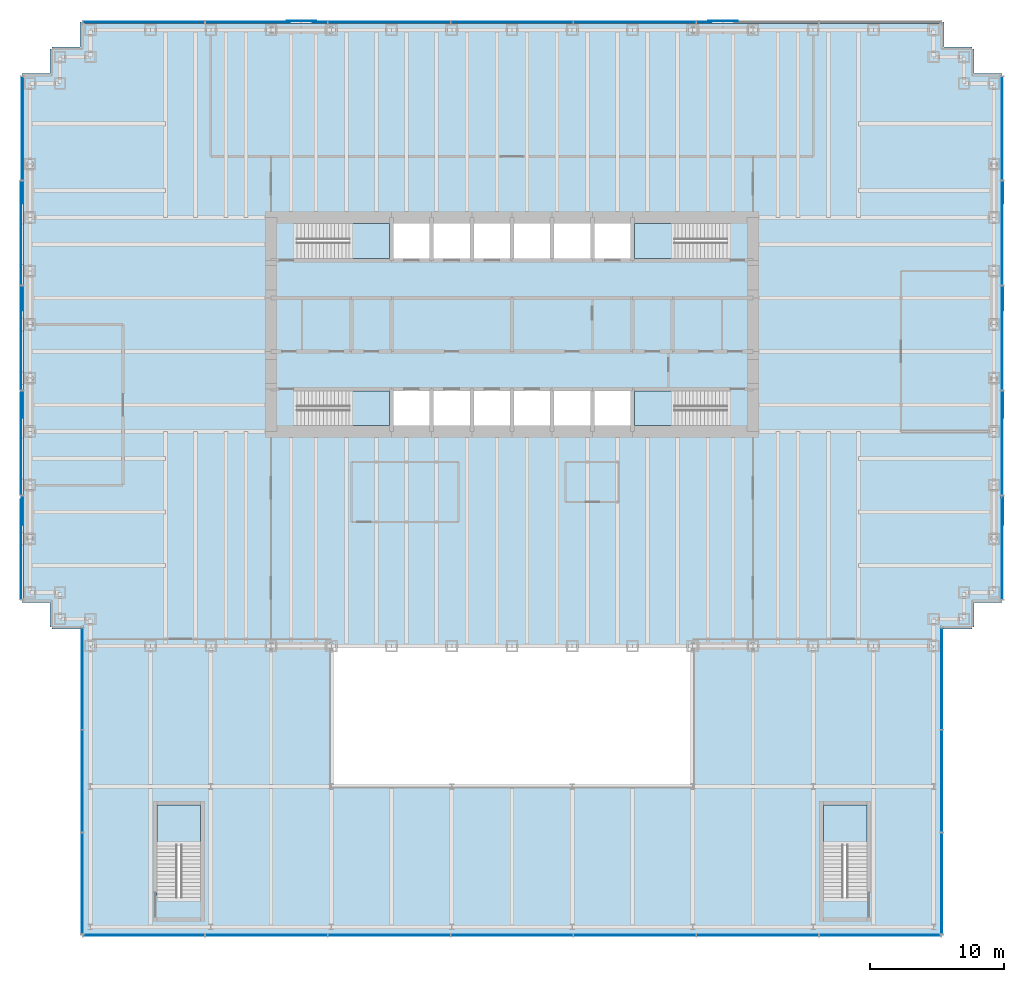
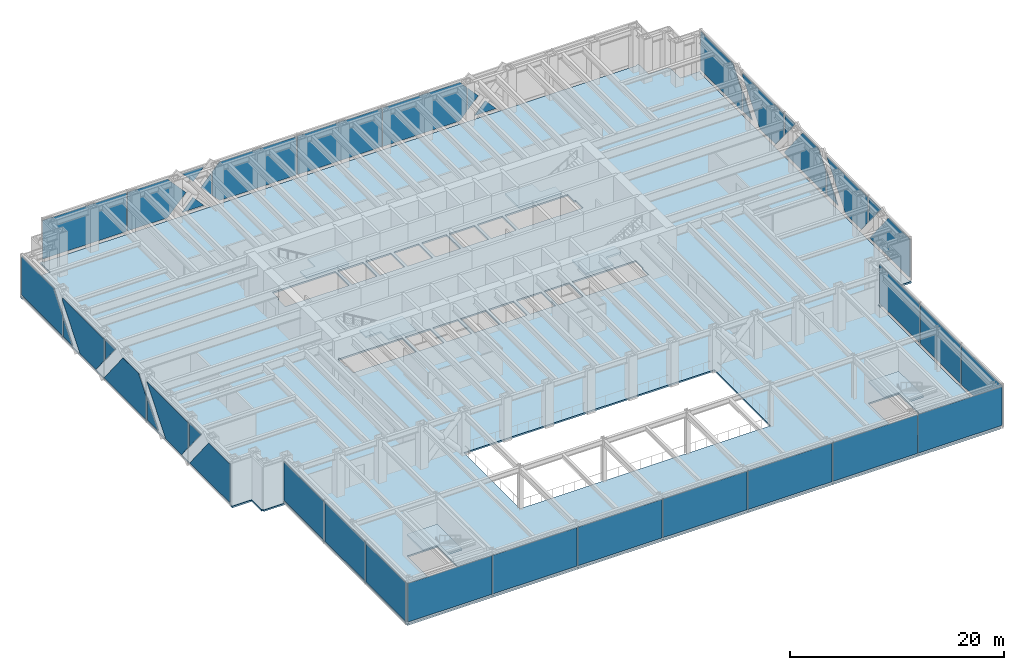
# One storey, part 11 of 17: 41 plates, 7 slabs, 12 elements without a shape of their own.
"""IFC4 building model written with IfcOpenShell, lengths in metres."""

from ifc_helpers import new_model, si_unit, direction, frame, origin, origin_2d, place, context, subcontext, project, spatial, polyline, rectangle, outline, extrude, material, layer, layer_set, type_object, element, aggregate, save


model = new_model("IFC4")

# Units and contexts
model_context = context("Model", 3, precision=1e-05, world=origin(), true_north=direction((0.0, 1.0)))
body_context = subcontext(model_context, "Body", "Model", "MODEL_VIEW")
ifc_project = project(units=[si_unit("LENGTHUNIT", "METRE"), si_unit("AREAUNIT", "SQUARE_METRE"), si_unit("VOLUMEUNIT", "CUBIC_METRE"), si_unit("PLANEANGLEUNIT", "RADIAN"), si_unit("MASSUNIT", "GRAM", prefix="KILO")], contexts=[model_context])

# Site, building, storey
site_placement = place(None, origin())
site = spatial("IfcSite", under=ifc_project, at=site_placement, CompositionType="ELEMENT")
building_placement = place(site_placement, origin())
building = spatial("IfcBuilding", under=site, at=building_placement, Name="Rheinbord Bourse Tower", CompositionType="ELEMENT")
storey_placement = place(building_placement, frame((0.0, 0.0, 13.0)))
storey = spatial("IfcBuildingStorey", under=building, at=storey_placement, Name="L02", CompositionType="ELEMENT", Elevation=13.0)

# Slab
ifc_material_1 = material(Name="Concrete C30/37", Category="concrete")
ifc_layer_1 = layer(ifc_material_1, 0.179931640625)
ifc_layer_set_1 = layer_set([ifc_layer_1], Name="COMPOSITE FLOOR SLAB 180")
slab_type_1 = type_object("IfcSlabType", Name="COMPOSITE FLOOR SLAB 180", PredefinedType="FLOOR", material=ifc_layer_set_1)
slab_1_placement = place(storey_placement, frame((0.0, 0.0, -0.179931640625)))
element("IfcSlab", 1, at=slab_1_placement, inside=storey, type_object=slab_type_1, Name="Floor slab L02", PredefinedType="FLOOR", context=body_context, shape_type="SweptSolid", body=[
    extrude(outline(polyline([(1.64990234375, 1.39990234375), (1.5, 1.39990234375), (1.5, 3.25), (-0.60009765625, 3.25), (-0.60009765625, 3.550048828125), (-0.5, 3.550048828125), (-0.5, 42.449951171875), (-0.60009765625, 42.449951171875), (-0.60009765625, 42.75), (1.5, 42.75), (1.5, 44.60009765625), (1.64990234375, 44.60009765625), (1.64990234375, 44.75), (3.75, 44.75), (3.75, 46.60009765625), (4.050048828125, 46.60009765625), (4.050048828125, 46.5), (67.949951171875, 46.5), (67.949951171875, 46.60009765625), (68.25, 46.60009765625), (68.25, 44.75), (70.35009765625, 44.75), (70.35009765625, 44.60009765625), (70.5, 44.60009765625), (70.5, 42.75), (72.60009765625, 42.75), (72.60009765625, 42.449951171875), (72.5, 42.449951171875), (72.5, 3.550048828125), (72.60009765625, 3.550048828125), (72.60009765625, 3.25), (70.5, 3.25), (70.5, 1.39990234375), (70.35009765625, 1.39990234375), (70.35009765625, 1.25), (68.10009765625, 1.25), (68.10009765625, 1.5), (68.0, 1.5), (68.0, -21.5), (4.0, -21.5), (4.0, 1.5), (3.89990234375, 1.5), (3.89990234375, 1.25), (1.64990234375, 1.25), (1.64990234375, 1.39990234375)]), holes=[polyline([(19.949951171875, 19.050048828125), (26.85009765625, 19.050048828125), (26.85009765625, 16.449951171875), (20.10009765625, 16.449951171875), (20.10009765625, 17.64990234375), (19.949951171875, 17.64990234375), (19.949951171875, 19.050048828125)]), polyline([(26.85009765625, 31.550048828125), (26.85009765625, 28.949951171875), (19.949951171875, 28.949951171875), (19.949951171875, 30.35009765625), (20.10009765625, 30.35009765625), (20.10009765625, 31.550048828125), (26.85009765625, 31.550048828125)]), polyline([(45.14990234375, 16.449951171875), (45.14990234375, 19.050048828125), (52.050048828125, 19.050048828125), (52.050048828125, 17.64990234375), (51.89990234375, 17.64990234375), (51.89990234375, 16.449951171875), (45.14990234375, 16.449951171875)]), polyline([(52.050048828125, 28.949951171875), (45.14990234375, 28.949951171875), (45.14990234375, 31.550048828125), (51.89990234375, 31.550048828125), (51.89990234375, 30.35009765625), (52.050048828125, 30.35009765625), (52.050048828125, 28.949951171875)]), polyline([(9.5, -11.89990234375), (12.75, -11.89990234375), (12.75, -18.800048828125), (11.0, -18.800048828125), (11.0, -18.64990234375), (9.5, -18.64990234375), (9.5, -11.89990234375)]), polyline([(59.25, -11.89990234375), (62.5, -11.89990234375), (62.5, -18.800048828125), (60.75, -18.800048828125), (60.75, -18.64990234375), (59.25, -18.64990234375), (59.25, -11.89990234375)]), polyline([(22.5, -10.5), (22.5, 0.0), (49.5, 0.0), (49.5, -10.5), (22.5, -10.5)]), polyline([(27.14990234375, 16.449951171875), (27.14990234375, 19.050048828125), (29.85009765625, 19.050048828125), (29.85009765625, 16.449951171875), (27.14990234375, 16.449951171875)]), polyline([(27.14990234375, 28.949951171875), (27.14990234375, 31.550048828125), (29.85009765625, 31.550048828125), (29.85009765625, 28.949951171875), (27.14990234375, 28.949951171875)]), polyline([(30.14990234375, 16.449951171875), (30.14990234375, 19.050048828125), (32.85009765625, 19.050048828125), (32.85009765625, 16.449951171875), (30.14990234375, 16.449951171875)]), polyline([(30.14990234375, 28.949951171875), (30.14990234375, 31.550048828125), (32.85009765625, 31.550048828125), (32.85009765625, 28.949951171875), (30.14990234375, 28.949951171875)]), polyline([(33.14990234375, 16.449951171875), (33.14990234375, 19.050048828125), (35.85009765625, 19.050048828125), (35.85009765625, 16.449951171875), (33.14990234375, 16.449951171875)]), polyline([(33.14990234375, 28.949951171875), (33.14990234375, 31.550048828125), (35.85009765625, 31.550048828125), (35.85009765625, 28.949951171875), (33.14990234375, 28.949951171875)]), polyline([(36.14990234375, 16.449951171875), (36.14990234375, 19.050048828125), (38.85009765625, 19.050048828125), (38.85009765625, 16.449951171875), (36.14990234375, 16.449951171875)]), polyline([(36.14990234375, 28.949951171875), (36.14990234375, 31.550048828125), (38.85009765625, 31.550048828125), (38.85009765625, 28.949951171875), (36.14990234375, 28.949951171875)]), polyline([(39.14990234375, 16.449951171875), (39.14990234375, 19.050048828125), (41.85009765625, 19.050048828125), (41.85009765625, 16.449951171875), (39.14990234375, 16.449951171875)]), polyline([(39.14990234375, 28.949951171875), (39.14990234375, 31.550048828125), (41.85009765625, 31.550048828125), (41.85009765625, 28.949951171875), (39.14990234375, 28.949951171875)]), polyline([(42.14990234375, 16.449951171875), (42.14990234375, 19.050048828125), (44.85009765625, 19.050048828125), (44.85009765625, 16.449951171875), (42.14990234375, 16.449951171875)]), polyline([(42.14990234375, 28.949951171875), (42.14990234375, 31.550048828125), (44.85009765625, 31.550048828125), (44.85009765625, 28.949951171875), (42.14990234375, 28.949951171875)])]), origin(), (0.0, 0.0, 1.0), 0.179931640625),
])

# Curtain wall, plates
ifc_material_2 = material(Name="Dark glass and black aluminium", Category="aluminium")
curtain_wall_type = type_object("IfcCurtainWallType", Name="CW4 DARK GLASS CURTAIN WALL", PredefinedType="USERDEFINED", material=ifc_material_2)
curtain_wall_1_placement = place(storey_placement, origin())
curtain_wall_1 = element("IfcCurtainWall", 2, at=curtain_wall_1_placement, inside=storey, type_object=curtain_wall_type, Name="Curtain wall CW4 S L02", ObjectType="UNITISED CURTAIN WALL", PredefinedType="USERDEFINED")
ifc_material_3 = material(Name="Dark tinted triple insulating glass", Category="glass")
ifc_layer_2 = layer(ifc_material_3, 0.068115234375)
ifc_layer_set_2 = layer_set([ifc_layer_2], Name="CW4 DARK GLASS PANEL")
plate_type = type_object("IfcPlateType", Name="CW4 DARK GLASS PANEL", PredefinedType="CURTAIN_PANEL", material=ifc_layer_set_2)
plate_1_placement = place(storey_placement, frame((8.50830078125, -21.60009765625, 0.300048828125), z_axis=(0.0, 0.0, 1.0), x_axis=(1.0, 0.0, 0.0)))
plate_1 = element("IfcPlate", 3, at=plate_1_placement, type_object=plate_type, Name="CW4 panel 1.1", PredefinedType="CURTAIN_PANEL", context=body_context, shape_type="SweptSolid", body=[
    extrude(rectangle(XDim=9.036376953125, YDim=0.068115234375, at=origin_2d()), origin(), (0.0, 0.0, 1.0), 4.39990234375),
])
plate_2_placement = place(storey_placement, frame((17.6572265625, -21.60009765625, 0.300048828125), z_axis=(0.0, 0.0, 1.0), x_axis=(1.0, 0.0, 0.0)))
plate_2 = element("IfcPlate", 4, at=plate_2_placement, type_object=plate_type, Name="CW4 panel 2.1", PredefinedType="CURTAIN_PANEL", context=body_context, shape_type="SweptSolid", body=[
    extrude(rectangle(XDim=9.08154296875, YDim=0.068115234375, at=origin_2d()), origin(), (0.0, 0.0, 1.0), 4.39990234375),
])
plate_3_placement = place(storey_placement, frame((26.82861328125, -21.60009765625, 0.300048828125), z_axis=(0.0, 0.0, 1.0), x_axis=(1.0, 0.0, 0.0)))
plate_3 = element("IfcPlate", 5, at=plate_3_placement, type_object=plate_type, Name="CW4 panel 3.1", PredefinedType="CURTAIN_PANEL", context=body_context, shape_type="SweptSolid", body=[
    extrude(rectangle(XDim=9.08154296875, YDim=0.068115234375, at=origin_2d()), origin(), (0.0, 0.0, 1.0), 4.39990234375),
])
plate_4_placement = place(storey_placement, frame((36.0, -21.60009765625, 0.300048828125), z_axis=(0.0, 0.0, 1.0), x_axis=(1.0, 0.0, 0.0)))
plate_4 = element("IfcPlate", 6, at=plate_4_placement, type_object=plate_type, Name="CW4 panel 4.1", PredefinedType="CURTAIN_PANEL", context=body_context, shape_type="SweptSolid", body=[
    extrude(rectangle(XDim=9.08154296875, YDim=0.068115234375, at=origin_2d()), origin(), (0.0, 0.0, 1.0), 4.39990234375),
])
plate_5_placement = place(storey_placement, frame((45.17138671875, -21.60009765625, 0.300048828125), z_axis=(0.0, 0.0, 1.0), x_axis=(1.0, 0.0, 0.0)))
plate_5 = element("IfcPlate", 7, at=plate_5_placement, type_object=plate_type, Name="CW4 panel 5.1", PredefinedType="CURTAIN_PANEL", context=body_context, shape_type="SweptSolid", body=[
    extrude(rectangle(XDim=9.08154296875, YDim=0.068115234375, at=origin_2d()), origin(), (0.0, 0.0, 1.0), 4.39990234375),
])
plate_6_placement = place(storey_placement, frame((54.3427734375, -21.60009765625, 0.300048828125), z_axis=(0.0, 0.0, 1.0), x_axis=(1.0, 0.0, 0.0)))
plate_6 = element("IfcPlate", 8, at=plate_6_placement, type_object=plate_type, Name="CW4 panel 6.1", PredefinedType="CURTAIN_PANEL", context=body_context, shape_type="SweptSolid", body=[
    extrude(rectangle(XDim=9.08154296875, YDim=0.068115234375, at=origin_2d()), origin(), (0.0, 0.0, 1.0), 4.39990234375),
])
plate_7_placement = place(storey_placement, frame((63.49169921875, -21.60009765625, 0.300048828125), z_axis=(0.0, 0.0, 1.0), x_axis=(1.0, 0.0, 0.0)))
plate_7 = element("IfcPlate", 9, at=plate_7_placement, type_object=plate_type, Name="CW4 panel 7.1", PredefinedType="CURTAIN_PANEL", context=body_context, shape_type="SweptSolid", body=[
    extrude(rectangle(XDim=9.036376953125, YDim=0.068115234375, at=origin_2d()), origin(), (0.0, 0.0, 1.0), 4.39990234375),
])
aggregate(curtain_wall_1, [plate_1, plate_2, plate_3, plate_4, plate_5, plate_6, plate_7])

curtain_wall_2_placement = place(storey_placement, origin())
curtain_wall_2 = element("IfcCurtainWall", 10, at=curtain_wall_2_placement, inside=storey, type_object=curtain_wall_type, Name="Curtain wall CW4 E L02", ObjectType="UNITISED CURTAIN WALL", PredefinedType="USERDEFINED")
plate_8_placement = place(storey_placement, frame((68.10009765625, -17.744140625, 0.300048828125), z_axis=(0.0, 0.0, 1.0), x_axis=(0.0, 1.0, 0.0)))
plate_8 = element("IfcPlate", 11, at=plate_8_placement, type_object=plate_type, Name="CW4 panel 1.1", PredefinedType="CURTAIN_PANEL", context=body_context, shape_type="SweptSolid", body=[
    extrude(rectangle(XDim=7.53173828125, YDim=0.068115234375, at=origin_2d()), origin(), (0.0, 0.0, 1.0), 4.39990234375),
])
plate_9_placement = place(storey_placement, frame((68.10009765625, -10.10009765625, 0.300048828125), z_axis=(0.0, 0.0, 1.0), x_axis=(0.0, 1.0, 0.0)))
plate_9 = element("IfcPlate", 12, at=plate_9_placement, type_object=plate_type, Name="CW4 panel 2.1", PredefinedType="CURTAIN_PANEL", context=body_context, shape_type="SweptSolid", body=[
    extrude(rectangle(XDim=7.57666015625, YDim=0.068115234375, at=origin_2d()), origin(), (0.0, 0.0, 1.0), 4.39990234375),
])
plate_10_placement = place(storey_placement, frame((68.10009765625, -2.455810546875, 0.300048828125), z_axis=(0.0, 0.0, 1.0), x_axis=(0.0, 1.0, 0.0)))
plate_10 = element("IfcPlate", 13, at=plate_10_placement, type_object=plate_type, Name="CW4 panel 3.1", PredefinedType="CURTAIN_PANEL", context=body_context, shape_type="SweptSolid", body=[
    extrude(rectangle(XDim=7.53173828125, YDim=0.068115234375, at=origin_2d()), origin(), (0.0, 0.0, 1.0), 4.39990234375),
])
aggregate(curtain_wall_2, [plate_8, plate_9, plate_10])

curtain_wall_3_placement = place(storey_placement, origin())
curtain_wall_3 = element("IfcCurtainWall", 14, at=curtain_wall_3_placement, inside=storey, type_object=curtain_wall_type, Name="Curtain wall CW4 E L02", ObjectType="UNITISED CURTAIN WALL", PredefinedType="USERDEFINED")
plate_11_placement = place(storey_placement, frame((72.63427734375, 3.489990234375, 0.300048828125), z_axis=(-1.0, 0.0, 0.0), x_axis=(0.0, 0.0, 1.0)))
plate_11 = element("IfcPlate", 15, at=plate_11_placement, type_object=plate_type, Name="CW4 glass facet 1", PredefinedType="CURTAIN_PANEL", context=body_context, shape_type="SweptSolid", body=[
    extrude(outline(polyline([(0.0, 0.0), (4.39990234375, 0.0), (4.39990234375, 3.97509765625), (0.0, 7.4951171875), (0.0, 0.0)])), origin(), (0.0, 0.0, 1.0), 0.068115234375),
])
plate_12_placement = place(storey_placement, frame((72.70703125, 11.195068359375, 4.699951171875), z_axis=(-1.0, 0.0, 0.0), x_axis=(0.0, 0.0, -1.0)))
plate_12 = element("IfcPlate", 16, at=plate_12_placement, type_object=plate_type, Name="CW4 glass facet 2", PredefinedType="CURTAIN_PANEL", context=body_context, shape_type="SweptSolid", body=[
    extrude(outline(polyline([(0.0, 0.0), (2.724853515625, 0.0), (0.0, 2.18017578125), (0.0, 0.0)])), origin(), (0.0, 0.0, 1.0), 0.068115234375),
])
plate_13_placement = place(storey_placement, frame((72.63427734375, 12.534912109375, 0.300048828125), z_axis=(-1.0, 0.0, 0.0), x_axis=(0.0, -0.624814097858, 0.780773554315)))
plate_13 = element("IfcPlate", 17, at=plate_13_placement, type_object=plate_type, Name="CW4 glass facet 1", PredefinedType="CURTAIN_PANEL", context=body_context, shape_type="SweptSolid", body=[
    extrude(outline(polyline([(0.0, 0.0), (2.00048828125, 0.0), (4.21630859375, 1.773193359375), (-0.5947265625, 7.78515625), (-1.830810546875, 2.287841796875), (0.0, 0.0)])), origin(), (0.0, 0.0, 1.0), 0.068115234375),
])
plate_14_placement = place(storey_placement, frame((72.70703125, 19.034912109375, 0.300048828125), z_axis=(-1.0, 0.0, 0.0), x_axis=(0.0, -1.0, 0.0)))
plate_14 = element("IfcPlate", 18, at=plate_14_placement, type_object=plate_type, Name="CW4 glass facet 2", PredefinedType="CURTAIN_PANEL", context=body_context, shape_type="SweptSolid", body=[
    extrude(outline(polyline([(0.0, 0.0), (2.02001953125, 0.0), (0.0, 2.52490234375), (0.0, 0.0)])), origin(), (0.0, 0.0, 1.0), 0.068115234375),
])
plate_15_placement = place(storey_placement, frame((72.63427734375, 26.875, 0.300048828125), z_axis=(-1.0, 0.0, 0.0), x_axis=(0.0, -1.0, 0.0)))
plate_15 = element("IfcPlate", 19, at=plate_15_placement, type_object=plate_type, Name="CW4 glass facet 1", PredefinedType="CURTAIN_PANEL", context=body_context, shape_type="SweptSolid", body=[
    extrude(outline(polyline([(0.0, 0.0), (7.75, 0.0), (7.75, 2.637939453125), (6.340087890625, 4.39990234375), (3.409912109375, 4.39990234375), (0.0, 0.137939453125), (0.0, 0.0)])), origin(), (0.0, 0.0, 1.0), 0.068115234375),
])
plate_16_placement = place(storey_placement, frame((72.70703125, 26.875, 4.699951171875), z_axis=(-1.0, 0.0, 0.0), x_axis=(0.0, 0.0, -1.0)))
plate_16 = element("IfcPlate", 20, at=plate_16_placement, type_object=plate_type, Name="CW4 glass facet 2", PredefinedType="CURTAIN_PANEL", context=body_context, shape_type="SweptSolid", body=[
    extrude(outline(polyline([(0.0, 0.0), (2.324951171875, 0.0), (0.0, 1.860107421875), (0.0, 0.0)])), origin(), (0.0, 0.0, 1.0), 0.068115234375),
])
plate_17_placement = place(storey_placement, frame((72.63427734375, 28.534912109375, 0.300048828125), z_axis=(-1.0, 0.0, 0.0), x_axis=(0.0, -0.624766140759, 0.780811929571)))
plate_17 = element("IfcPlate", 21, at=plate_17_placement, type_object=plate_type, Name="CW4 glass facet 1", PredefinedType="CURTAIN_PANEL", context=body_context, shape_type="SweptSolid", body=[
    extrude(outline(polyline([(0.0, 0.0), (2.5126953125, 0.0), (4.416259765625, 1.523193359375), (-0.42578125, 7.574462890625), (-0.689453125, 7.36328125), (-1.83056640625, 2.287841796875), (0.0, 0.0)])), origin(), (0.0, 0.0, 1.0), 0.068115234375),
])
plate_18_placement = place(storey_placement, frame((72.70703125, 34.715087890625, 0.300048828125), z_axis=(-1.0, 0.0, 0.0), x_axis=(0.0, -1.0, 0.0)))
plate_18 = element("IfcPlate", 22, at=plate_18_placement, type_object=plate_type, Name="CW4 glass facet 2", PredefinedType="CURTAIN_PANEL", context=body_context, shape_type="SweptSolid", body=[
    extrude(outline(polyline([(0.0, 0.0), (1.7001953125, 0.0), (0.0, 2.125), (0.0, 0.0)])), origin(), (0.0, 0.0, 1.0), 0.068115234375),
])
plate_19_placement = place(storey_placement, frame((72.63427734375, 42.510009765625, 4.699951171875), z_axis=(-1.0, 0.0, 0.0), x_axis=(0.0, 0.0, -1.0)))
plate_19 = element("IfcPlate", 23, at=plate_19_placement, type_object=plate_type, Name="CW4 glass facet 1", PredefinedType="CURTAIN_PANEL", context=body_context, shape_type="SweptSolid", body=[
    extrude(outline(polyline([(0.0, 0.0), (4.39990234375, 0.0), (4.39990234375, 7.705078125), (2.161865234375, 7.705078125), (0.0, 5.97509765625), (0.0, 0.0)])), origin(), (0.0, 0.0, 1.0), 0.068115234375),
])
aggregate(curtain_wall_3, [plate_11, plate_12, plate_13, plate_14, plate_15, plate_16, plate_17, plate_18, plate_19])

curtain_wall_4_placement = place(storey_placement, origin())
curtain_wall_4 = element("IfcCurtainWall", 24, at=curtain_wall_4_placement, inside=storey, type_object=curtain_wall_type, Name="Curtain wall CW4 N L02", ObjectType="UNITISED CURTAIN WALL", PredefinedType="USERDEFINED")
plate_20_placement = place(storey_placement, frame((36.0, 46.60009765625, 0.300048828125), z_axis=(0.0, 0.0, 1.0), x_axis=(-1.0, 0.0, 0.0)))
plate_20 = element("IfcPlate", 25, at=plate_20_placement, type_object=plate_type, Name="CW4 panel 4.1", PredefinedType="CURTAIN_PANEL", context=body_context, shape_type="SweptSolid", body=[
    extrude(rectangle(XDim=9.08154296875, YDim=0.068115234375, at=origin_2d()), origin(), (0.0, 0.0, 1.0), 4.39990234375),
])
plate_21_placement = place(storey_placement, frame((8.50830078125, 46.60009765625, 0.300048828125), z_axis=(0.0, 0.0, 1.0), x_axis=(-1.0, 0.0, 0.0)))
plate_21 = element("IfcPlate", 26, at=plate_21_placement, type_object=plate_type, Name="CW4 panel 7.1", PredefinedType="CURTAIN_PANEL", context=body_context, shape_type="SweptSolid", body=[
    extrude(rectangle(XDim=9.036376953125, YDim=0.068115234375, at=origin_2d()), origin(), (0.0, 0.0, 1.0), 4.39990234375),
])
plate_22_placement = place(storey_placement, frame((52.916015625, 46.70703125, 0.300048828125), z_axis=(0.0, -1.0, 0.0), x_axis=(-0.668871876535, 0.0, 0.743377705329)))
plate_22 = element("IfcPlate", 27, at=plate_22_placement, type_object=plate_type, Name="CW4 glass facet 2", PredefinedType="CURTAIN_PANEL", context=body_context, shape_type="SweptSolid", body=[
    extrude(outline(polyline([(0.0, 0.0), (1.7431640625, 0.0), (1.559814453125, 1.733642578125), (0.0, 0.0)])), origin(), (0.0, 0.0, 1.0), 0.068115234375),
])
plate_23_placement = place(storey_placement, frame((49.802001953125, 46.63427734375, 1.239990234375), z_axis=(0.0, -1.0, 0.0), x_axis=(0.668972688488, 0.0, 0.743286984991)))
plate_23 = element("IfcPlate", 28, at=plate_23_placement, type_object=plate_type, Name="CW4 glass facet 4", PredefinedType="CURTAIN_PANEL", context=body_context, shape_type="SweptSolid", body=[
    extrude(outline(polyline([(0.0, 0.0), (1.695068359375, 0.0), (1.873046875, 1.685791015625), (0.0, 0.0)])), origin(), (0.0, 0.0, 1.0), 0.068115234375),
])
plate_24_placement = place(storey_placement, frame((40.631103515625, 46.63427734375, 4.699951171875), z_axis=(0.0, -1.0, 0.0), x_axis=(0.0, 0.0, -1.0)))
plate_24 = element("IfcPlate", 29, at=plate_24_placement, type_object=plate_type, Name="CW4 glass facet 1", PredefinedType="CURTAIN_PANEL", context=body_context, shape_type="SweptSolid", body=[
    extrude(outline(polyline([(0.0, 0.0), (4.39990234375, 0.0), (4.39990234375, 8.324951171875), (3.56005859375, 9.080810546875), (0.83984375, 9.080810546875), (0.0, 8.324951171875), (0.0, 0.0)])), origin(), (0.0, 0.0, 1.0), 0.068115234375),
])
plate_25_placement = place(storey_placement, frame((31.368896484375, 46.63427734375, 0.300048828125), z_axis=(0.0, -1.0, 0.0), x_axis=(0.0, 0.0, 1.0)))
plate_25 = element("IfcPlate", 30, at=plate_25_placement, type_object=plate_type, Name="CW4 glass facet 1", PredefinedType="CURTAIN_PANEL", context=body_context, shape_type="SweptSolid", body=[
    extrude(outline(polyline([(0.0, 0.0), (4.39990234375, 0.0), (4.39990234375, 8.324951171875), (3.56005859375, 9.080810546875), (0.83984375, 9.080810546875), (0.0, 8.324951171875), (0.0, 0.0)])), origin(), (0.0, 0.0, 1.0), 0.068115234375),
])
plate_26_placement = place(storey_placement, frame((22.197998046875, 46.63427734375, 3.760009765625), z_axis=(0.0, -1.0, 0.0), x_axis=(-0.668972688488, 0.0, -0.743286984991)))
plate_26 = element("IfcPlate", 31, at=plate_26_placement, type_object=plate_type, Name="CW4 glass facet 1", PredefinedType="CURTAIN_PANEL", context=body_context, shape_type="SweptSolid", body=[
    extrude(outline(polyline([(0.0, 0.0), (1.695068359375, 0.0), (1.873046875, 1.685791015625), (0.0, 0.0)])), origin(), (0.0, 0.0, 1.0), 0.068115234375),
])
plate_27_placement = place(storey_placement, frame((21.416015625, 46.70703125, 0.300048828125), z_axis=(0.0, -1.0, 0.0), x_axis=(-0.668871876535, 0.0, 0.743377705329)))
plate_27 = element("IfcPlate", 32, at=plate_27_placement, type_object=plate_type, Name="CW4 glass facet 2", PredefinedType="CURTAIN_PANEL", context=body_context, shape_type="SweptSolid", body=[
    extrude(outline(polyline([(0.0, 0.0), (1.7431640625, 0.0), (1.559814453125, 1.733642578125), (0.0, 0.0)])), origin(), (0.0, 0.0, 1.0), 0.068115234375),
])
plate_28_placement = place(storey_placement, frame((19.083984375, 46.70703125, 4.699951171875), z_axis=(0.0, -1.0, 0.0), x_axis=(0.668871876535, 0.0, -0.743377705329)))
plate_28 = element("IfcPlate", 33, at=plate_28_placement, type_object=plate_type, Name="CW4 glass facet 3", PredefinedType="CURTAIN_PANEL", context=body_context, shape_type="SweptSolid", body=[
    extrude(outline(polyline([(0.0, 0.0), (1.7431640625, 0.0), (1.559814453125, 1.733642578125), (0.0, 0.0)])), origin(), (0.0, 0.0, 1.0), 0.068115234375),
])
plate_29_placement = place(storey_placement, frame((13.115966796875, 46.63427734375, 4.699951171875), z_axis=(0.0, -1.0, 0.0), x_axis=(0.0, 0.0, -1.0)))
plate_29 = element("IfcPlate", 34, at=plate_29_placement, type_object=plate_type, Name="CW4 glass facet 4", PredefinedType="CURTAIN_PANEL", context=body_context, shape_type="SweptSolid", body=[
    extrude(outline(polyline([(0.0, 0.0), (4.39990234375, 0.0), (4.39990234375, 4.340087890625), (2.199951171875, 6.320068359375), (0.0, 4.340087890625), (0.0, 0.0)])), origin(), (0.0, 0.0, 1.0), 0.068115234375),
])
aggregate(curtain_wall_4, [plate_20, plate_21, plate_22, plate_23, plate_24, plate_25, plate_26, plate_27, plate_28, plate_29])

curtain_wall_5_placement = place(storey_placement, origin())
curtain_wall_5 = element("IfcCurtainWall", 35, at=curtain_wall_5_placement, inside=storey, type_object=curtain_wall_type, Name="Curtain wall CW4 W L02", ObjectType="UNITISED CURTAIN WALL", PredefinedType="USERDEFINED")
plate_30_placement = place(storey_placement, frame((-0.63427734375, 34.804931640625, 0.300048828125), z_axis=(1.0, 0.0, 0.0), x_axis=(0.0, 1.0, 0.0)))
plate_30 = element("IfcPlate", 36, at=plate_30_placement, type_object=plate_type, Name="CW4 glass facet 1", PredefinedType="CURTAIN_PANEL", context=body_context, shape_type="SweptSolid", body=[
    extrude(outline(polyline([(0.0, 0.0), (7.705078125, 0.0), (7.705078125, 4.39990234375), (1.72998046875, 4.39990234375), (0.0, 2.238037109375), (0.0, 0.0)])), origin(), (0.0, 0.0, 1.0), 0.068115234375),
])
plate_31_placement = place(storey_placement, frame((-0.63427734375, 34.715087890625, 0.300048828125), z_axis=(1.0, 0.0, 0.0), x_axis=(0.0, 0.0, 1.0)))
plate_31 = element("IfcPlate", 37, at=plate_31_placement, type_object=plate_type, Name="CW4 glass facet 1", PredefinedType="CURTAIN_PANEL", context=body_context, shape_type="SweptSolid", body=[
    extrude(outline(polyline([(0.0, 0.0), (2.125, 0.0), (0.0, 1.7001953125), (0.0, 0.0)])), origin(), (0.0, 0.0, 1.0), 0.068115234375),
])
plate_32_placement = place(storey_placement, frame((-0.70703125, 31.465087890625, 0.300048828125), z_axis=(1.0, 0.0, 0.0), x_axis=(0.0, 0.624740832482, 0.7808321793)))
plate_32 = element("IfcPlate", 38, at=plate_32_placement, type_object=plate_type, Name="CW4 glass facet 2", PredefinedType="CURTAIN_PANEL", context=body_context, shape_type="SweptSolid", body=[
    extrude(outline(polyline([(0.0, 0.0), (5.2021484375, 0.0), (5.466064453125, 0.211181640625), (0.624267578125, 6.262451171875), (-1.279296875, 4.739501953125), (-1.83056640625, 2.2880859375), (0.0, 0.0)])), origin(), (0.0, 0.0, 1.0), 0.068115234375),
])
plate_33_placement = place(storey_placement, frame((-0.63427734375, 26.875, 4.699951171875), z_axis=(1.0, 0.0, 0.0), x_axis=(0.0, -1.0, 0.0)))
plate_33 = element("IfcPlate", 39, at=plate_33_placement, type_object=plate_type, Name="CW4 glass facet 1", PredefinedType="CURTAIN_PANEL", context=body_context, shape_type="SweptSolid", body=[
    extrude(outline(polyline([(0.0, 0.0), (1.860107421875, 0.0), (0.0, 2.324951171875), (0.0, 0.0)])), origin(), (0.0, 0.0, 1.0), 0.068115234375),
])
plate_34_placement = place(storey_placement, frame((-0.70703125, 19.125, 0.300048828125), z_axis=(1.0, 0.0, 0.0), x_axis=(0.0, 1.0, 0.0)))
plate_34 = element("IfcPlate", 40, at=plate_34_placement, type_object=plate_type, Name="CW4 glass facet 2", PredefinedType="CURTAIN_PANEL", context=body_context, shape_type="SweptSolid", body=[
    extrude(outline(polyline([(0.0, 0.0), (7.75, 0.0), (7.75, 0.137939453125), (4.340087890625, 4.39990234375), (1.409912109375, 4.39990234375), (0.0, 2.637939453125), (0.0, 0.0)])), origin(), (0.0, 0.0, 1.0), 0.068115234375),
])
plate_35_placement = place(storey_placement, frame((-0.63427734375, 19.034912109375, 0.300048828125), z_axis=(1.0, 0.0, 0.0), x_axis=(0.0, 0.0, 1.0)))
plate_35 = element("IfcPlate", 41, at=plate_35_placement, type_object=plate_type, Name="CW4 glass facet 1", PredefinedType="CURTAIN_PANEL", context=body_context, shape_type="SweptSolid", body=[
    extrude(outline(polyline([(0.0, 0.0), (2.52490234375, 0.0), (0.0, 2.02001953125), (0.0, 0.0)])), origin(), (0.0, 0.0, 1.0), 0.068115234375),
])
plate_36_placement = place(storey_placement, frame((-0.70703125, 15.465087890625, 0.300048828125), z_axis=(1.0, 0.0, 0.0), x_axis=(0.0, 0.624705615345, 0.780860355094)))
plate_36 = element("IfcPlate", 42, at=plate_36_placement, type_object=plate_type, Name="CW4 glass facet 2", PredefinedType="CURTAIN_PANEL", context=body_context, shape_type="SweptSolid", body=[
    extrude(outline(polyline([(0.0, 0.0), (5.634765625, 0.0), (0.82421875, 6.0126953125), (-1.3916015625, 4.239990234375), (-1.83056640625, 2.2880859375), (0.0, 0.0)])), origin(), (0.0, 0.0, 1.0), 0.068115234375),
])
plate_37_placement = place(storey_placement, frame((-0.63427734375, 11.195068359375, 4.699951171875), z_axis=(1.0, 0.0, 0.0), x_axis=(0.0, -1.0, 0.0)))
plate_37 = element("IfcPlate", 43, at=plate_37_placement, type_object=plate_type, Name="CW4 glass facet 1", PredefinedType="CURTAIN_PANEL", context=body_context, shape_type="SweptSolid", body=[
    extrude(outline(polyline([(0.0, 0.0), (2.18017578125, 0.0), (0.0, 2.724853515625), (0.0, 0.0)])), origin(), (0.0, 0.0, 1.0), 0.068115234375),
])
plate_38_placement = place(storey_placement, frame((-0.70703125, 3.489990234375, 4.699951171875), z_axis=(1.0, 0.0, 0.0), x_axis=(0.0, 0.0, -1.0)))
plate_38 = element("IfcPlate", 44, at=plate_38_placement, type_object=plate_type, Name="CW4 glass facet 2", PredefinedType="CURTAIN_PANEL", context=body_context, shape_type="SweptSolid", body=[
    extrude(outline(polyline([(0.0, 0.0), (4.39990234375, 0.0), (4.39990234375, 7.4951171875), (0.0, 3.97509765625), (0.0, 0.0)])), origin(), (0.0, 0.0, 1.0), 0.068115234375),
])
aggregate(curtain_wall_5, [plate_30, plate_31, plate_32, plate_33, plate_34, plate_35, plate_36, plate_37, plate_38])

curtain_wall_6_placement = place(storey_placement, origin())
curtain_wall_6 = element("IfcCurtainWall", 45, at=curtain_wall_6_placement, inside=storey, type_object=curtain_wall_type, Name="Curtain wall CW4 W L02", ObjectType="UNITISED CURTAIN WALL", PredefinedType="USERDEFINED")
plate_39_placement = place(storey_placement, frame((3.89990234375, -2.455810546875, 0.300048828125), z_axis=(0.0, 0.0, 1.0), x_axis=(0.0, -1.0, 0.0)))
plate_39 = element("IfcPlate", 46, at=plate_39_placement, type_object=plate_type, Name="CW4 panel 1.1", PredefinedType="CURTAIN_PANEL", context=body_context, shape_type="SweptSolid", body=[
    extrude(rectangle(XDim=7.53173828125, YDim=0.068115234375, at=origin_2d()), origin(), (0.0, 0.0, 1.0), 4.39990234375),
])
plate_40_placement = place(storey_placement, frame((3.89990234375, -10.10009765625, 0.300048828125), z_axis=(0.0, 0.0, 1.0), x_axis=(0.0, -1.0, 0.0)))
plate_40 = element("IfcPlate", 47, at=plate_40_placement, type_object=plate_type, Name="CW4 panel 2.1", PredefinedType="CURTAIN_PANEL", context=body_context, shape_type="SweptSolid", body=[
    extrude(rectangle(XDim=7.57666015625, YDim=0.068115234375, at=origin_2d()), origin(), (0.0, 0.0, 1.0), 4.39990234375),
])
plate_41_placement = place(storey_placement, frame((3.89990234375, -17.744140625, 0.300048828125), z_axis=(0.0, 0.0, 1.0), x_axis=(0.0, -1.0, 0.0)))
plate_41 = element("IfcPlate", 48, at=plate_41_placement, type_object=plate_type, Name="CW4 panel 3.1", PredefinedType="CURTAIN_PANEL", context=body_context, shape_type="SweptSolid", body=[
    extrude(rectangle(XDim=7.53173828125, YDim=0.068115234375, at=origin_2d()), origin(), (0.0, 0.0, 1.0), 4.39990234375),
])
aggregate(curtain_wall_6, [plate_39, plate_40, plate_41])

# Stair, slab
ifc_material_4 = material(Name="Concrete C30/37", Category="concrete")
stair_type_1 = type_object("IfcStairType", Name="CORE STAIR HALF TURN 5000", PredefinedType="HALF_TURN_STAIR", material=ifc_material_4)
stair_1_placement = place(storey_placement, origin())
stair_1 = element("IfcStair", 49, at=stair_1_placement, inside=storey, type_object=stair_type_1, Name="Stair ST1 L02, type CS3", PredefinedType="HALF_TURN_STAIR")
ifc_material_5 = material(Name="Concrete C30/37", Category="concrete")
ifc_layer_3 = layer(ifc_material_5, 0.199951171875)
ifc_layer_set_3 = layer_set([ifc_layer_3], Name="STAIR LANDING 200")
slab_type_2 = type_object("IfcSlabType", Name="STAIR LANDING 200", PredefinedType="LANDING", material=ifc_layer_set_3)
slab_2_placement = place(storey_placement, frame((0.0, 0.0, 2.300048828125)))
slab_2 = element("IfcSlab", 50, at=slab_2_placement, type_object=slab_type_2, Name="Half landing ST1 L02", PredefinedType="LANDING", context=body_context, shape_type="SweptSolid", body=[
    extrude(outline(polyline([(23.8701171875, 16.449951171875), (26.85009765625, 16.449951171875), (26.85009765625, 19.050048828125), (22.251953125, 19.050048828125), (22.251953125, 17.85009765625), (23.8701171875, 17.85009765625), (23.8701171875, 16.449951171875)])), origin(), (0.0, 0.0, 1.0), 0.199951171875),
])
aggregate(stair_1, [slab_2])

stair_2_placement = place(storey_placement, origin())
stair_2 = element("IfcStair", 51, at=stair_2_placement, inside=storey, type_object=stair_type_1, Name="Stair ST2 L02, type CS3", PredefinedType="HALF_TURN_STAIR")
slab_3_placement = place(storey_placement, frame((0.0, 0.0, 2.300048828125)))
slab_3 = element("IfcSlab", 52, at=slab_3_placement, type_object=slab_type_2, Name="Half landing ST2 L02", PredefinedType="LANDING", context=body_context, shape_type="SweptSolid", body=[
    extrude(outline(polyline([(22.251953125, 28.949951171875), (26.85009765625, 28.949951171875), (26.85009765625, 31.550048828125), (23.8701171875, 31.550048828125), (23.8701171875, 30.14990234375), (22.251953125, 30.14990234375), (22.251953125, 28.949951171875)])), origin(), (0.0, 0.0, 1.0), 0.199951171875),
])
aggregate(stair_2, [slab_3])

stair_3_placement = place(storey_placement, origin())
stair_3 = element("IfcStair", 53, at=stair_3_placement, inside=storey, type_object=stair_type_1, Name="Stair ST3 L02, type CS3", PredefinedType="HALF_TURN_STAIR")
slab_4_placement = place(storey_placement, frame((0.0, 0.0, 2.300048828125)))
slab_4 = element("IfcSlab", 54, at=slab_4_placement, type_object=slab_type_2, Name="Half landing ST3 L02", PredefinedType="LANDING", context=body_context, shape_type="SweptSolid", body=[
    extrude(outline(polyline([(45.14990234375, 16.449951171875), (48.1298828125, 16.449951171875), (48.1298828125, 17.85009765625), (49.748046875, 17.85009765625), (49.748046875, 19.050048828125), (45.14990234375, 19.050048828125), (45.14990234375, 16.449951171875)])), origin(), (0.0, 0.0, 1.0), 0.199951171875),
])
aggregate(stair_3, [slab_4])

stair_4_placement = place(storey_placement, origin())
stair_4 = element("IfcStair", 55, at=stair_4_placement, inside=storey, type_object=stair_type_1, Name="Stair ST4 L02, type CS3", PredefinedType="HALF_TURN_STAIR")
slab_5_placement = place(storey_placement, frame((0.0, 0.0, 2.300048828125)))
slab_5 = element("IfcSlab", 56, at=slab_5_placement, type_object=slab_type_2, Name="Half landing ST4 L02", PredefinedType="LANDING", context=body_context, shape_type="SweptSolid", body=[
    extrude(outline(polyline([(45.14990234375, 28.949951171875), (49.748046875, 28.949951171875), (49.748046875, 30.14990234375), (48.1298828125, 30.14990234375), (48.1298828125, 31.550048828125), (45.14990234375, 31.550048828125), (45.14990234375, 28.949951171875)])), origin(), (0.0, 0.0, 1.0), 0.199951171875),
])
aggregate(stair_4, [slab_5])

ifc_material_6 = material(Name="Concrete C30/37", Category="concrete")
stair_type_2 = type_object("IfcStairType", Name="PODIUM STAIR HALF TURN", PredefinedType="HALF_TURN_STAIR", material=ifc_material_6)
stair_5_placement = place(storey_placement, origin())
stair_5 = element("IfcStair", 57, at=stair_5_placement, inside=storey, type_object=stair_type_2, Name="Stair ST5 L02, type PS1", PredefinedType="HALF_TURN_STAIR")
slab_6_placement = place(storey_placement, frame((0.0, 0.0, 2.300048828125)))
slab_6 = element("IfcSlab", 58, at=slab_6_placement, type_object=slab_type_2, Name="Half landing ST5 L02", PredefinedType="LANDING", context=body_context, shape_type="SweptSolid", body=[
    extrude(outline(polyline([(9.5, -14.8798828125), (11.25, -14.8798828125), (11.25, -16.498046875), (12.75, -16.498046875), (12.75, -11.89990234375), (9.5, -11.89990234375), (9.5, -14.8798828125)])), origin(), (0.0, 0.0, 1.0), 0.199951171875),
])
aggregate(stair_5, [slab_6])

stair_6_placement = place(storey_placement, origin())
stair_6 = element("IfcStair", 59, at=stair_6_placement, inside=storey, type_object=stair_type_2, Name="Stair ST6 L02, type PS1", PredefinedType="HALF_TURN_STAIR")
slab_7_placement = place(storey_placement, frame((0.0, 0.0, 2.300048828125)))
slab_7 = element("IfcSlab", 60, at=slab_7_placement, type_object=slab_type_2, Name="Half landing ST6 L02", PredefinedType="LANDING", context=body_context, shape_type="SweptSolid", body=[
    extrude(outline(polyline([(59.25, -14.8798828125), (61.0, -14.8798828125), (61.0, -16.498046875), (62.5, -16.498046875), (62.5, -11.89990234375), (59.25, -11.89990234375), (59.25, -14.8798828125)])), origin(), (0.0, 0.0, 1.0), 0.199951171875),
])
aggregate(stair_6, [slab_7])

save(model, "model.ifc")
